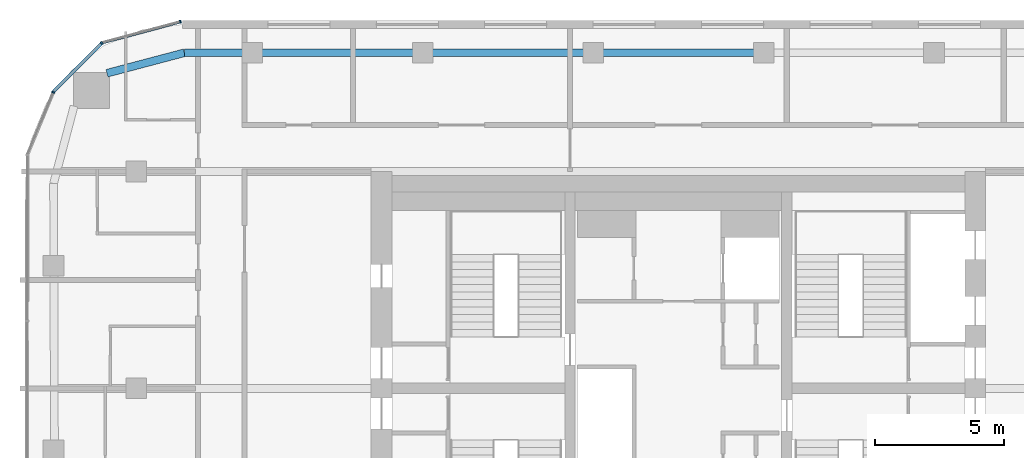
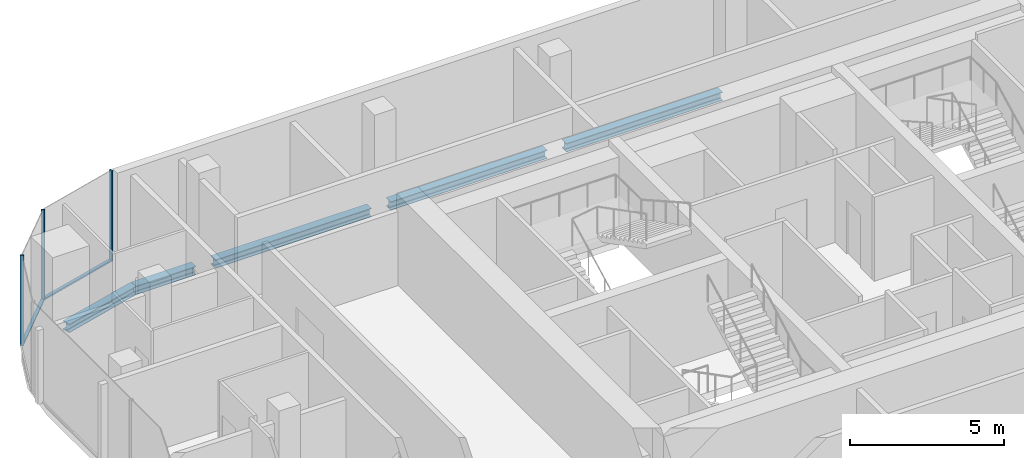
# One storey, part 10 of 22: 5 beams, 5 members, 3 elements without a shape of their own.
"""IFC4 building model written with IfcOpenShell, lengths in metres."""

from ifc_helpers import new_model, si_unit, direction, frame, origin, origin_2d, place, context, subcontext, project, spatial, rectangle, i_section, extrude, material, layer, layer_set, material_profile, profile_set, type_object, element, aggregate, save


model = new_model("IFC4")

# Units and contexts
model_context = context("Model", 3, precision=1e-05, world=origin(), true_north=direction((0.0, 1.0)))
body_context = subcontext(model_context, "Body", "Model", "MODEL_VIEW")
ifc_project = project(units=[si_unit("LENGTHUNIT", "METRE"), si_unit("AREAUNIT", "SQUARE_METRE"), si_unit("VOLUMEUNIT", "CUBIC_METRE"), si_unit("PLANEANGLEUNIT", "RADIAN"), si_unit("MASSUNIT", "GRAM", prefix="KILO")], contexts=[model_context])

# Site, building, storey
site_placement = place(None, origin())
site = spatial("IfcSite", under=ifc_project, at=site_placement, CompositionType="ELEMENT")
building_placement = place(site_placement, origin())
building = spatial("IfcBuilding", under=site, at=building_placement, Name="Marenta Gate Hotel Tower", CompositionType="ELEMENT")
storey_placement = place(building_placement, frame((0.0, 0.0, 223.699951171875)))
storey = spatial("IfcBuildingStorey", under=building, at=storey_placement, Name="L52", CompositionType="ELEMENT", Elevation=223.699951171875)

# Beams
ifc_material_1 = material(Name="Steel S355", Category="steel")
ifc_material_profile_1 = material_profile(ifc_material_1, i_section(OverallWidth=0.300048828125, OverallDepth=0.340087890625, WebThickness=0.011962890625, FlangeThickness=0.021484375, FilletRadius=0.027099609375, at=origin_2d()), Name="HEB 340")
ifc_profile_set_1 = profile_set([ifc_material_profile_1], Name="Steel S355")
beam_type = type_object("IfcBeamType", Name="Edge beam HEB 340", PredefinedType="SPANDREL", material=ifc_profile_set_1)
beam_1_placement = place(storey_placement, frame((-22.132080078125, 20.607177734375, -0.429931640625), z_axis=(0.9667647815, 0.25566747398, 0.0), x_axis=(-0.25566747398, 0.9667647815, 0.0)))
element("IfcBeam", 1, at=beam_1_placement, inside=storey, type_object=beam_type, Name="L52-EB-12", PredefinedType="SPANDREL", context=body_context, shape_type="SweptSolid", body=[
    extrude(i_section(OverallWidth=0.300048828125, OverallDepth=0.340087890625, WebThickness=0.011962890625, FlangeThickness=0.021484375, FilletRadius=0.027099609375, at=origin_2d()), origin(), (0.0, 0.0, 1.0), 3.1005859375),
])
beam_2_placement = place(storey_placement, frame((-19.134521484375, 21.39990234375, -0.429931640625), z_axis=(1.0, 0.0, 0.0), x_axis=(0.0, 1.0, 0.0)))
element("IfcBeam", 2, at=beam_2_placement, inside=storey, type_object=beam_type, Name="L52-EB-13", PredefinedType="SPANDREL", context=body_context, shape_type="SweptSolid", body=[
    extrude(i_section(OverallWidth=0.300048828125, OverallDepth=0.340087890625, WebThickness=0.011962890625, FlangeThickness=0.021484375, FilletRadius=0.027099609375, at=origin_2d()), origin(), (0.0, 0.0, 1.0), 2.267578125),
])
for number, where, z_axis, x_axis, name in (
    (3, (-16.14697265625, 21.39990234375, -0.429931640625), (1.0, 0.0, 0.0), (0.0, 1.0, 0.0), "L52-EB-14"),
    (4, (-9.544189453125, 21.39990234375, -0.429931640625), (1.0, 0.0, 0.0), (0.0, 1.0, 0.0), "L52-EB-15"),
    (5, (-2.94140625, 21.39990234375, -0.429931640625), (1.0, 0.0, 0.0), (0.0, 1.0, 0.0), "L52-EB-16"),
):
    element("IfcBeam", number, at=place(storey_placement, frame(where, z_axis=z_axis, x_axis=x_axis)), inside=storey, type_object=beam_type, Name=name, PredefinedType="SPANDREL", context=body_context, shape_type="SweptSolid", body=[
        extrude(i_section(OverallWidth=0.300048828125, OverallDepth=0.340087890625, WebThickness=0.011962890625, FlangeThickness=0.021484375, FilletRadius=0.027099609375, at=origin_2d()), origin(), (0.0, 0.0, 1.0), 5.8828125),
    ])

# Curtain wall, member
ifc_material_2 = material(Name="Tinted insulated glass in bronze anodised frame", Category="glass")
ifc_layer = layer(ifc_material_2, 0.1201171875)
ifc_layer_set = layer_set([ifc_layer], Name="Tinted insulated glass in bronze anodised frame")
curtain_wall_type = type_object("IfcCurtainWallType", Name="Tower unitised curtain wall CW1", PredefinedType="NOTDEFINED", material=ifc_layer_set)
curtain_wall_1_placement = place(storey_placement, origin())
curtain_wall_1 = element("IfcCurtainWall", 6, at=curtain_wall_1_placement, inside=storey, type_object=curtain_wall_type, Name="CW1 run G00", PredefinedType="NOTDEFINED")
ifc_material_3 = material(Name="Bronze anodised aluminium", Category="aluminium")
ifc_material_profile_2 = material_profile(ifc_material_3, rectangle(XDim=0.1201171875, YDim=0.06005859375, at=origin_2d()), Name="Mullion CW1 60x120 bronze anodised aluminium")
ifc_profile_set_2 = profile_set([ifc_material_profile_2], Name="Bronze anodised aluminium")
member_type_1 = type_object("IfcMemberType", Name="Mullion CW1 60x120 bronze anodised aluminium", PredefinedType="MULLION", material=ifc_profile_set_2)
member_1_placement = place(storey_placement, frame((-19.285400390625, 22.603271484375, 0.0), z_axis=(0.0, 0.0, 1.0), x_axis=(0.258801379183, -0.965930559685, 0.0)))
member_1 = element("IfcMember", 7, at=member_1_placement, type_object=member_type_1, Name="CW1 mullion 1", PredefinedType="MULLION", context=body_context, shape_type="SweptSolid", body=[
    extrude(rectangle(XDim=0.1201171875, YDim=0.06005859375, at=origin_2d()), origin(), (0.0, 0.0, 1.0), 3.60009765625),
])

curtain_wall_2_placement = place(storey_placement, origin())
curtain_wall_2 = element("IfcCurtainWall", 8, at=curtain_wall_2_placement, inside=storey, type_object=curtain_wall_type, Name="CW1 run G01", PredefinedType="NOTDEFINED")
member_2_placement = place(storey_placement, frame((-22.334228515625, 21.77099609375, 0.0), z_axis=(0.0, 0.0, 1.0), x_axis=(0.707106781187, -0.707106781187, 0.0)))
member_2 = element("IfcMember", 9, at=member_2_placement, type_object=member_type_1, Name="CW1 mullion 1", PredefinedType="MULLION", context=body_context, shape_type="SweptSolid", body=[
    extrude(rectangle(XDim=0.1201171875, YDim=0.06005859375, at=origin_2d()), origin(), (0.0, 0.0, 1.0), 3.60009765625),
])

curtain_wall_3_placement = place(storey_placement, origin())
curtain_wall_3 = element("IfcCurtainWall", 10, at=curtain_wall_3_placement, inside=storey, type_object=curtain_wall_type, Name="CW1 run G02", PredefinedType="NOTDEFINED")
member_3_placement = place(storey_placement, frame((-24.215087890625, 19.87353515625, 0.0), z_axis=(0.0, 0.0, 1.0), x_axis=(0.923886433266, -0.382666772044, 0.0)))
member_3 = element("IfcMember", 11, at=member_3_placement, type_object=member_type_1, Name="CW1 mullion 1", PredefinedType="MULLION", context=body_context, shape_type="SweptSolid", body=[
    extrude(rectangle(XDim=0.1201171875, YDim=0.06005859375, at=origin_2d()), origin(), (0.0, 0.0, 1.0), 3.60009765625),
])
aggregate(curtain_wall_3, [member_3])

# Member
ifc_material_4 = material(Name="Bronze anodised aluminium", Category="aluminium")
ifc_material_profile_3 = material_profile(ifc_material_4, rectangle(XDim=0.1201171875, YDim=0.06005859375, at=origin_2d()), Name="Transom CW1 60x120 bronze anodised aluminium")
ifc_profile_set_3 = profile_set([ifc_material_profile_3], Name="Bronze anodised aluminium")
member_type_2 = type_object("IfcMemberType", Name="Transom CW1 60x120 bronze anodised aluminium", PredefinedType="USERDEFINED", material=ifc_profile_set_3)
member_4_placement = place(storey_placement, frame((-19.314453125, 22.595458984375, 0.030029296875), z_axis=(-0.965924882171, -0.258822568574, 0.0), x_axis=(0.258822568574, -0.965924882171, 0.0)))
member_4 = element("IfcMember", 12, at=member_4_placement, type_object=member_type_2, Name="CW1 transom 1.1", ObjectType="TRANSOM", PredefinedType="USERDEFINED", context=body_context, shape_type="SweptSolid", body=[
    extrude(rectangle(XDim=0.1201171875, YDim=0.06005859375, at=origin_2d()), origin(), (0.0, 0.0, 1.0), 3.104248046875),
])

aggregate(curtain_wall_1, [member_1, member_4])

member_5_placement = place(storey_placement, frame((-22.355224609375, 21.749755859375, 0.030029296875), z_axis=(-0.707106781187, -0.707106781187, 0.0), x_axis=(0.707106781187, -0.707106781187, 0.0)))
member_5 = element("IfcMember", 13, at=member_5_placement, type_object=member_type_2, Name="CW1 transom 1.1", ObjectType="TRANSOM", PredefinedType="USERDEFINED", context=body_context, shape_type="SweptSolid", body=[
    extrude(rectangle(XDim=0.1201171875, YDim=0.06005859375, at=origin_2d()), origin(), (0.0, 0.0, 1.0), 2.614013671875),
])

aggregate(curtain_wall_2, [member_2, member_5])

save(model, "model.ifc")
